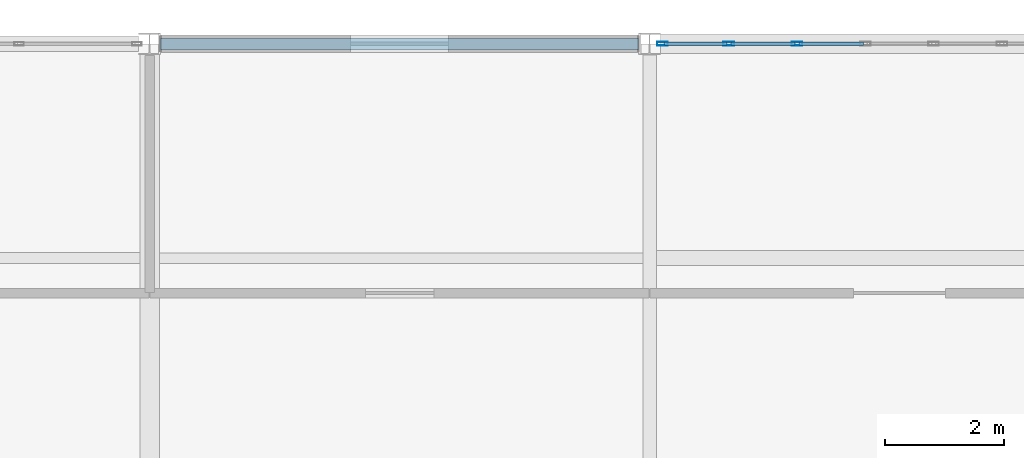
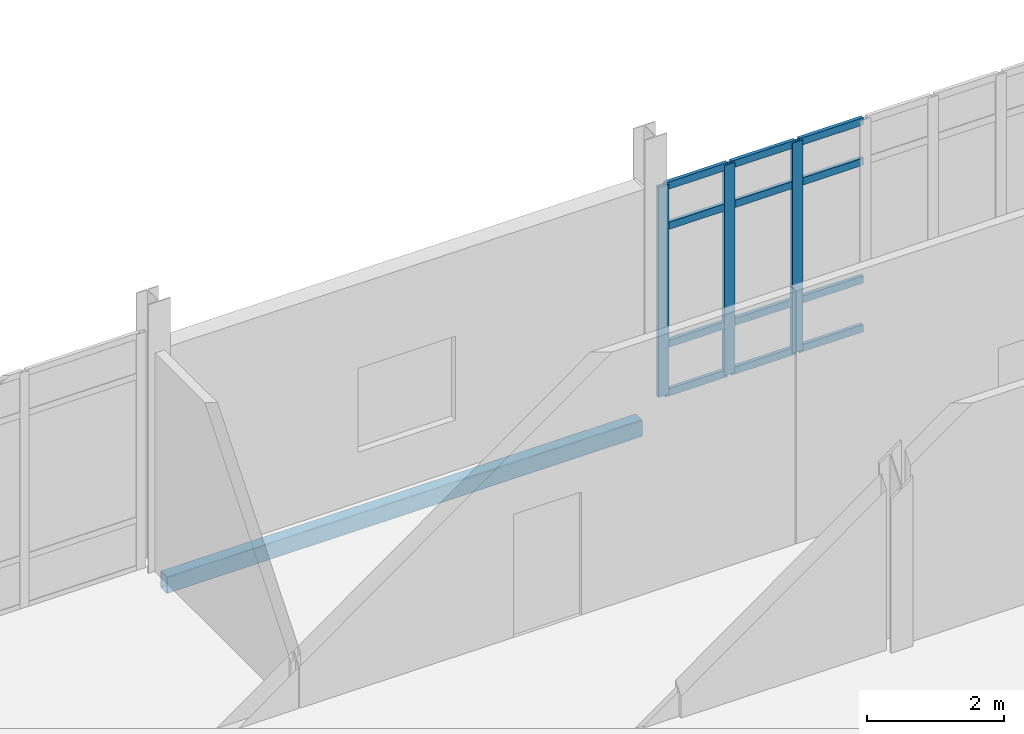
# One storey, part 93 of 186: 15 members, 1 beam, 1 element without a shape of its own.
"""IFC4 building model written with IfcOpenShell, lengths in metres."""

from ifc_helpers import new_model, si_unit, direction, frame, origin, origin_2d, place, context, subcontext, project, spatial, hollow_rectangle, extrude, material, layer, layer_set, material_profile, profile_set, type_object, element, aggregate, save


model = new_model("IFC4")

# Units and contexts
model_context = context("Model", 3, precision=1e-05, world=origin(), true_north=direction((0.0, 1.0)))
body_context = subcontext(model_context, "Body", "Model", "MODEL_VIEW")
ifc_project = project(units=[si_unit("LENGTHUNIT", "METRE"), si_unit("AREAUNIT", "SQUARE_METRE"), si_unit("VOLUMEUNIT", "CUBIC_METRE"), si_unit("PLANEANGLEUNIT", "RADIAN"), si_unit("MASSUNIT", "GRAM", prefix="KILO")], contexts=[model_context])

# Site, building, storey
site_placement = place(None, origin())
site = spatial("IfcSite", under=ifc_project, at=site_placement, CompositionType="ELEMENT")
building_placement = place(site_placement, origin())
building = spatial("IfcBuilding", under=site, at=building_placement, Name="Calvrana Isthmian Art Gallery", CompositionType="ELEMENT")
storey_placement = place(building_placement, frame((0.0, 0.0, 5.39990234375)))
storey = spatial("IfcBuildingStorey", under=building, at=storey_placement, Name="L01", CompositionType="ELEMENT", Elevation=5.39990234375)

# Beam
ifc_material_1 = material(Name="Steel ASTM A500 Gr C", Category="steel")
ifc_material_profile_1 = material_profile(ifc_material_1, hollow_rectangle(XDim=0.203125, YDim=0.3046875, WallThickness=0.0126953125, OuterFilletRadius=0.02490234375, at=origin_2d()), Name="HSS305X203X12.7")
ifc_profile_set_1 = profile_set([ifc_material_profile_1], Name="Steel ASTM A500 Gr C")
beam_type = type_object("IfcBeamType", Name="BM-SP-HSS305", PredefinedType="SPANDREL", material=ifc_profile_set_1)
beam_placement = place(storey_placement, frame((30.18408203125, 112.800048828125, -0.397216796875), z_axis=(1.0, 0.0, 0.0), x_axis=(0.0, 1.0, 0.0)))
element("IfcBeam", 1, at=beam_placement, inside=storey, type_object=beam_type, Name="Girder X L01 05-06/P", PredefinedType="SPANDREL", context=body_context, shape_type="SweptSolid", body=[
    extrude(hollow_rectangle(XDim=0.203125, YDim=0.3046875, WallThickness=0.0126953125, OuterFilletRadius=0.02490234375, at=origin_2d()), origin(), (0.0, 0.0, 1.0), 8.029296875),
])

# Curtain wall, members
ifc_material_2 = material(Name="Anodized bronze aluminium 6063-T6", Category="aluminium")
ifc_layer = layer(ifc_material_2, 0.179931640625, Name="Anodized bronze aluminium 6063-T6")
ifc_layer_set = layer_set([ifc_layer], Name="Anodized bronze aluminium 6063-T6")
curtain_wall_type = type_object("IfcCurtainWallType", Name="CW-UNIT-080X38", PredefinedType="USERDEFINED", material=ifc_layer_set)
curtain_wall_placement = place(storey_placement, origin())
curtain_wall = element("IfcCurtainWall", 2, at=curtain_wall_placement, inside=storey, type_object=curtain_wall_type, Name="Curtain wall CW-116", ObjectType="UNITISED CURTAIN WALL", PredefinedType="USERDEFINED")
ifc_material_profile_2 = material_profile(ifc_material_2, hollow_rectangle(XDim=0.06494140625, YDim=0.179931640625, WallThickness=0.00439453125, at=origin_2d()), Name="CWM65X180")
ifc_profile_set_2 = profile_set([ifc_material_profile_2], Name="Anodized bronze aluminium 6063-T6")
member_type_1 = type_object("IfcMemberType", Name="CWM-CWM65X180", PredefinedType="MULLION", material=ifc_profile_set_2)
member_1_placement = place(storey_placement, frame((38.616455078125, 112.800048828125, 0.0), z_axis=(0.0, 0.0, 1.0), x_axis=(0.0, 1.0, 0.0)))
member_1 = element("IfcMember", 3, at=member_1_placement, type_object=member_type_1, Name="CW-116 mullion 1", PredefinedType="MULLION", context=body_context, shape_type="SweptSolid", body=[
    extrude(hollow_rectangle(XDim=0.06494140625, YDim=0.179931640625, WallThickness=0.00439453125, at=origin_2d()), origin(), (0.0, 0.0, 1.0), 3.758056640625),
])
member_2_placement = place(storey_placement, frame((39.73095703125, 112.800048828125, 0.0), z_axis=(0.0, 0.0, 1.0), x_axis=(0.0, 1.0, 0.0)))
member_2 = element("IfcMember", 4, at=member_2_placement, type_object=member_type_1, Name="CW-116 mullion 2", PredefinedType="MULLION", context=body_context, shape_type="SweptSolid", body=[
    extrude(hollow_rectangle(XDim=0.06494140625, YDim=0.179931640625, WallThickness=0.00439453125, at=origin_2d()), origin(), (0.0, 0.0, 1.0), 3.758056640625),
])
member_3_placement = place(storey_placement, frame((40.878173828125, 112.800048828125, 0.0), z_axis=(0.0, 0.0, 1.0), x_axis=(0.0, 1.0, 0.0)))
member_3 = element("IfcMember", 5, at=member_3_placement, type_object=member_type_1, Name="CW-116 mullion 3", PredefinedType="MULLION", context=body_context, shape_type="SweptSolid", body=[
    extrude(hollow_rectangle(XDim=0.06494140625, YDim=0.179931640625, WallThickness=0.00439453125, at=origin_2d()), origin(), (0.0, 0.0, 1.0), 3.758056640625),
])
ifc_material_profile_3 = material_profile(ifc_material_2, hollow_rectangle(XDim=0.06005859375, YDim=0.1298828125, WallThickness=0.00390625, at=origin_2d()), Name="CWT60X130")
ifc_profile_set_3 = profile_set([ifc_material_profile_3], Name="Anodized bronze aluminium 6063-T6")
member_type_2 = type_object("IfcMemberType", Name="CWT-CWT60X130", PredefinedType="USERDEFINED", material=ifc_profile_set_3)
member_4_placement = place(storey_placement, frame((38.64892578125, 112.800048828125, 0.030029296875), z_axis=(1.0, 0.0, 0.0), x_axis=(0.0, 1.0, 0.0)))
member_4 = element("IfcMember", 6, at=member_4_placement, type_object=member_type_2, Name="CW-116 transom 1.1", ObjectType="TRANSOM", PredefinedType="USERDEFINED", context=body_context, shape_type="SweptSolid", body=[
    extrude(hollow_rectangle(XDim=0.06005859375, YDim=0.1298828125, WallThickness=0.00390625, at=origin_2d()), origin(), (0.0, 0.0, 1.0), 1.049560546875),
])
member_5_placement = place(storey_placement, frame((38.64892578125, 112.800048828125, 0.900146484375), z_axis=(1.0, 0.0, 0.0), x_axis=(0.0, 1.0, 0.0)))
member_5 = element("IfcMember", 7, at=member_5_placement, type_object=member_type_2, Name="CW-116 transom 1.2", ObjectType="TRANSOM", PredefinedType="USERDEFINED", context=body_context, shape_type="SweptSolid", body=[
    extrude(hollow_rectangle(XDim=0.06005859375, YDim=0.1298828125, WallThickness=0.00390625, at=origin_2d()), origin(), (0.0, 0.0, 1.0), 1.049560546875),
])
member_6_placement = place(storey_placement, frame((38.64892578125, 112.800048828125, 3.008056640625), z_axis=(1.0, 0.0, 0.0), x_axis=(0.0, 1.0, 0.0)))
member_6 = element("IfcMember", 8, at=member_6_placement, type_object=member_type_2, Name="CW-116 transom 1.3", ObjectType="TRANSOM", PredefinedType="USERDEFINED", context=body_context, shape_type="SweptSolid", body=[
    extrude(hollow_rectangle(XDim=0.06005859375, YDim=0.1298828125, WallThickness=0.00390625, at=origin_2d()), origin(), (0.0, 0.0, 1.0), 1.049560546875),
])
member_7_placement = place(storey_placement, frame((38.64892578125, 112.800048828125, 3.72802734375), z_axis=(1.0, 0.0, 0.0), x_axis=(0.0, 1.0, 0.0)))
member_7 = element("IfcMember", 9, at=member_7_placement, type_object=member_type_2, Name="CW-116 transom 1.4", ObjectType="TRANSOM", PredefinedType="USERDEFINED", context=body_context, shape_type="SweptSolid", body=[
    extrude(hollow_rectangle(XDim=0.06005859375, YDim=0.1298828125, WallThickness=0.00390625, at=origin_2d()), origin(), (0.0, 0.0, 1.0), 1.049560546875),
])
member_8_placement = place(storey_placement, frame((39.763671875, 112.800048828125, 0.030029296875), z_axis=(1.0, 0.0, 0.0), x_axis=(0.0, 1.0, 0.0)))
member_8 = element("IfcMember", 10, at=member_8_placement, type_object=member_type_2, Name="CW-116 transom 2.1", ObjectType="TRANSOM", PredefinedType="USERDEFINED", context=body_context, shape_type="SweptSolid", body=[
    extrude(hollow_rectangle(XDim=0.06005859375, YDim=0.1298828125, WallThickness=0.00390625, at=origin_2d()), origin(), (0.0, 0.0, 1.0), 1.08203125),
])
member_9_placement = place(storey_placement, frame((39.763671875, 112.800048828125, 0.900146484375), z_axis=(1.0, 0.0, 0.0), x_axis=(0.0, 1.0, 0.0)))
member_9 = element("IfcMember", 11, at=member_9_placement, type_object=member_type_2, Name="CW-116 transom 2.2", ObjectType="TRANSOM", PredefinedType="USERDEFINED", context=body_context, shape_type="SweptSolid", body=[
    extrude(hollow_rectangle(XDim=0.06005859375, YDim=0.1298828125, WallThickness=0.00390625, at=origin_2d()), origin(), (0.0, 0.0, 1.0), 1.08203125),
])
member_10_placement = place(storey_placement, frame((39.763671875, 112.800048828125, 3.008056640625), z_axis=(1.0, 0.0, 0.0), x_axis=(0.0, 1.0, 0.0)))
member_10 = element("IfcMember", 12, at=member_10_placement, type_object=member_type_2, Name="CW-116 transom 2.3", ObjectType="TRANSOM", PredefinedType="USERDEFINED", context=body_context, shape_type="SweptSolid", body=[
    extrude(hollow_rectangle(XDim=0.06005859375, YDim=0.1298828125, WallThickness=0.00390625, at=origin_2d()), origin(), (0.0, 0.0, 1.0), 1.08203125),
])
member_11_placement = place(storey_placement, frame((39.763671875, 112.800048828125, 3.72802734375), z_axis=(1.0, 0.0, 0.0), x_axis=(0.0, 1.0, 0.0)))
member_11 = element("IfcMember", 13, at=member_11_placement, type_object=member_type_2, Name="CW-116 transom 2.4", ObjectType="TRANSOM", PredefinedType="USERDEFINED", context=body_context, shape_type="SweptSolid", body=[
    extrude(hollow_rectangle(XDim=0.06005859375, YDim=0.1298828125, WallThickness=0.00390625, at=origin_2d()), origin(), (0.0, 0.0, 1.0), 1.08203125),
])
member_12_placement = place(storey_placement, frame((40.91064453125, 112.800048828125, 0.030029296875), z_axis=(1.0, 0.0, 0.0), x_axis=(0.0, 1.0, 0.0)))
member_12 = element("IfcMember", 14, at=member_12_placement, type_object=member_type_2, Name="CW-116 transom 3.1", ObjectType="TRANSOM", PredefinedType="USERDEFINED", context=body_context, shape_type="SweptSolid", body=[
    extrude(hollow_rectangle(XDim=0.06005859375, YDim=0.1298828125, WallThickness=0.00390625, at=origin_2d()), origin(), (0.0, 0.0, 1.0), 1.08203125),
])
member_13_placement = place(storey_placement, frame((40.91064453125, 112.800048828125, 0.900146484375), z_axis=(1.0, 0.0, 0.0), x_axis=(0.0, 1.0, 0.0)))
member_13 = element("IfcMember", 15, at=member_13_placement, type_object=member_type_2, Name="CW-116 transom 3.2", ObjectType="TRANSOM", PredefinedType="USERDEFINED", context=body_context, shape_type="SweptSolid", body=[
    extrude(hollow_rectangle(XDim=0.06005859375, YDim=0.1298828125, WallThickness=0.00390625, at=origin_2d()), origin(), (0.0, 0.0, 1.0), 1.08203125),
])
member_14_placement = place(storey_placement, frame((40.91064453125, 112.800048828125, 3.008056640625), z_axis=(1.0, 0.0, 0.0), x_axis=(0.0, 1.0, 0.0)))
member_14 = element("IfcMember", 16, at=member_14_placement, type_object=member_type_2, Name="CW-116 transom 3.3", ObjectType="TRANSOM", PredefinedType="USERDEFINED", context=body_context, shape_type="SweptSolid", body=[
    extrude(hollow_rectangle(XDim=0.06005859375, YDim=0.1298828125, WallThickness=0.00390625, at=origin_2d()), origin(), (0.0, 0.0, 1.0), 1.08203125),
])
member_15_placement = place(storey_placement, frame((40.91064453125, 112.800048828125, 3.72802734375), z_axis=(1.0, 0.0, 0.0), x_axis=(0.0, 1.0, 0.0)))
member_15 = element("IfcMember", 17, at=member_15_placement, type_object=member_type_2, Name="CW-116 transom 3.4", ObjectType="TRANSOM", PredefinedType="USERDEFINED", context=body_context, shape_type="SweptSolid", body=[
    extrude(hollow_rectangle(XDim=0.06005859375, YDim=0.1298828125, WallThickness=0.00390625, at=origin_2d()), origin(), (0.0, 0.0, 1.0), 1.08203125),
])
aggregate(curtain_wall, [member_1, member_2, member_3, member_4, member_5, member_6, member_7, member_8, member_9, member_10, member_11, member_12, member_13, member_14, member_15])

save(model, "model.ifc")
